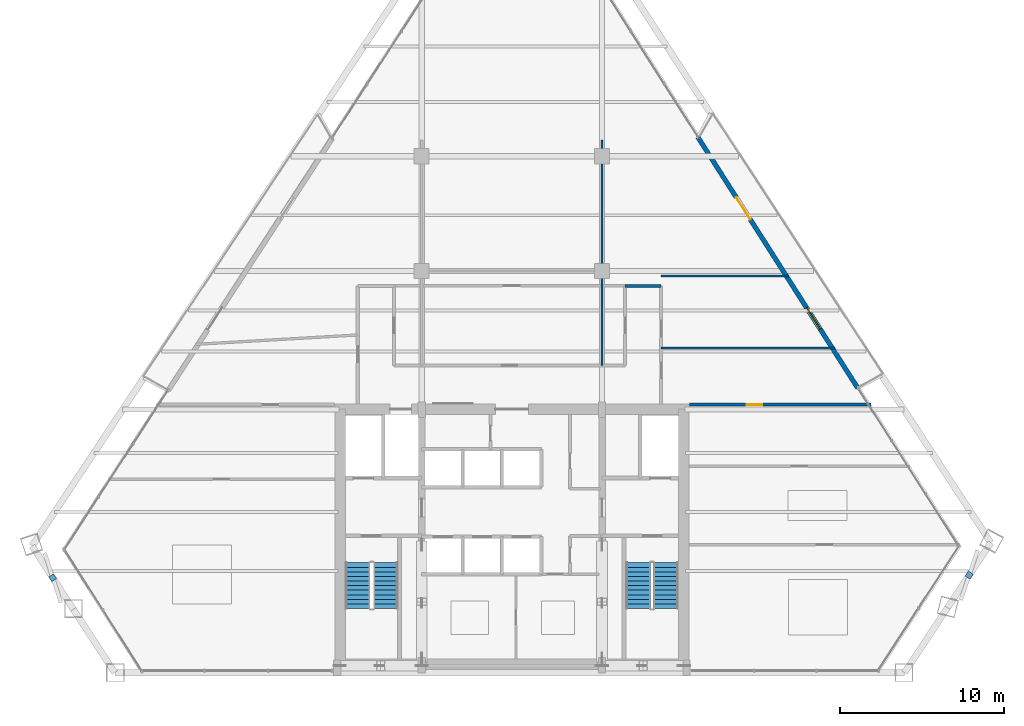
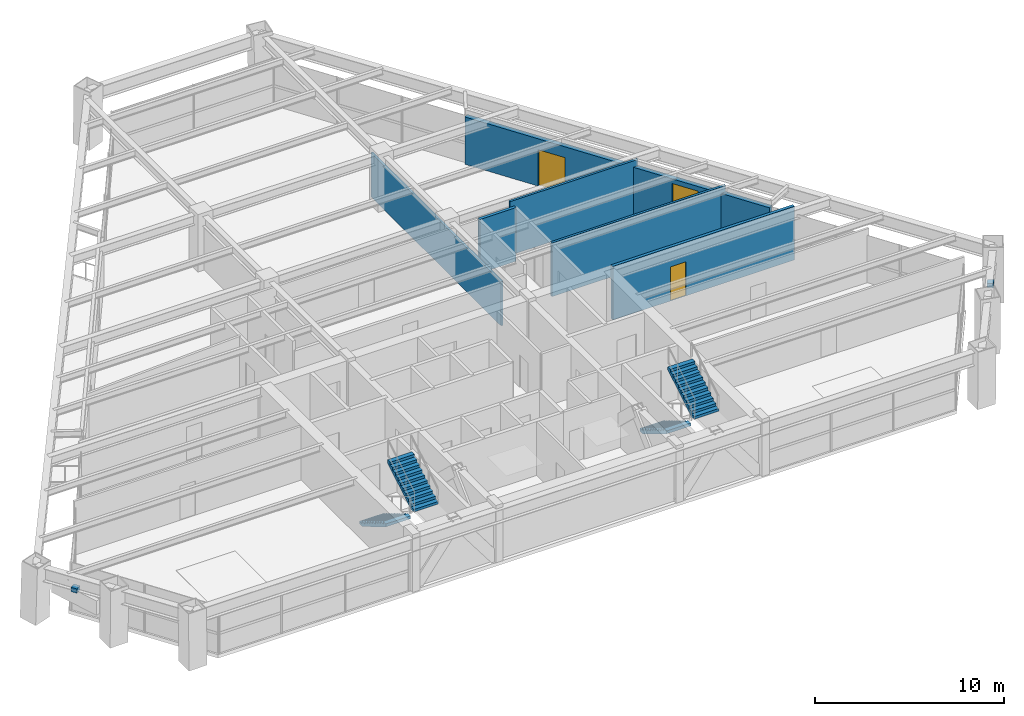
# One storey, part 13 of 15: 6 walls, 4 stair flights, 2 discrete accessories, 2 doors, 1 window, 3 openings, 2 elements without a shape of their own.
"""IFC4 building model written with IfcOpenShell, lengths in metres."""

import ifcopenshell
import ifcopenshell.guid

model = None  # the IFC model being written
_history = None  # IfcOwnerHistory: only IFC2X3 demands one
_inside = {}  # id of a spatial element -> (the spatial element, [elements in it])
_under = {}  # id of a project, library or spatial element -> (it, [spatial elements below it])
_declared = {}  # id of a project -> (the project, [libraries it declares])
_typed = {}  # id of a type object -> (the type object, [elements of that type])
_made_of = {}  # id of a material, layer set ... -> (it, [elements and type objects made of it])


def new_model(schema):
    """Start an empty IFC model of exactly this schema.

    Asked for "IFC4X3", IfcOpenShell would pick the latest addendum, in which some entities
    have other attributes; the version numbers below select the first issue.
    IFC2X3 requires an IfcOwnerHistory on every rooted entity: one is made here for all.
    """
    global model, _history
    if schema == "IFC4X3":
        model = ifcopenshell.file(schema_version=(4, 3, 0, 0))
    else:
        model = ifcopenshell.file(schema=schema)
    _inside.clear()
    _under.clear()
    _declared.clear()
    _typed.clear()
    _made_of.clear()
    _history = None
    if model.schema == "IFC2X3":
        org = make("IfcOrganization", Name="unknown")
        user = make(
            "IfcPersonAndOrganization",
            ThePerson=make("IfcPerson", FamilyName="unknown"),
            TheOrganization=org,
        )
        app = make(
            "IfcApplication",
            ApplicationDeveloper=org,
            Version="unknown",
            ApplicationFullName="unknown",
            ApplicationIdentifier="unknown",
        )
        _history = make(
            "IfcOwnerHistory",
            OwningUser=user,
            OwningApplication=app,
            ChangeAction="ADDED",
            CreationDate=0,
        )
    return model


def make(cls, **values):
    """One entity of the class cls with the attributes given. An attribute that is None is left unset."""
    return model.create_entity(
        cls, **{name: value for name, value in values.items() if value is not None}
    )


def rooted(cls, **values):
    """An entity with a GlobalId (a new one), such as an element, a storey or a relation."""
    return make(cls, GlobalId=ifcopenshell.guid.new(), OwnerHistory=_history, **values)


def si_unit(unit_type, name, prefix=None):
    """IfcSIUnit, for example si_unit("LENGTHUNIT", "METRE", prefix="MILLI")."""
    return make("IfcSIUnit", UnitType=unit_type, Prefix=prefix, Name=name)


def assignment(units):
    """IfcUnitAssignment: the units of a project."""
    return None if units is None else make("IfcUnitAssignment", Units=units)


def point(xyz):
    """IfcCartesianPoint."""
    return None if xyz is None else make("IfcCartesianPoint", Coordinates=xyz)


def direction(xyz):
    """IfcDirection."""
    return None if xyz is None else make("IfcDirection", DirectionRatios=xyz)


def frame(location, z_axis=None, x_axis=None):
    """IfcAxis2Placement3D, a coordinate frame: its origin and axes. An axis left out is left unset."""
    return make(
        "IfcAxis2Placement3D",
        Location=point(location),
        Axis=direction(z_axis),
        RefDirection=direction(x_axis),
    )


def frame_2d(location, x_axis=None):
    """IfcAxis2Placement2D, a coordinate frame in the plane: its origin and x axis."""
    return make(
        "IfcAxis2Placement2D", Location=point(location), RefDirection=direction(x_axis)
    )


def origin():
    """The frame at (0, 0, 0) with its axes left unset."""
    return frame((0.0, 0.0, 0.0))


def origin_2d():
    """The frame at (0, 0) in the plane with its x axis left unset."""
    return frame_2d((0.0, 0.0))


def place(relative_to, where):
    """IfcLocalPlacement: puts the frame where relative to a parent placement (None: the world)."""
    return make(
        "IfcLocalPlacement", PlacementRelTo=relative_to, RelativePlacement=where
    )


def context(
    kind, dimensions, precision=None, world=None, true_north=None, identifier=None
):
    """IfcGeometricRepresentationContext, for example the 3D "Model" context."""
    return make(
        "IfcGeometricRepresentationContext",
        ContextIdentifier=identifier,
        ContextType=kind,
        CoordinateSpaceDimension=dimensions,
        Precision=precision,
        WorldCoordinateSystem=world,
        TrueNorth=true_north,
    )


def subcontext(parent, identifier, kind, view, scale=None):
    """IfcGeometricRepresentationSubContext, for example "Body" below "Model"."""
    return make(
        "IfcGeometricRepresentationSubContext",
        ContextIdentifier=identifier,
        ContextType=kind,
        ParentContext=parent,
        TargetScale=scale,
        TargetView=view,
    )


def project(units=None, contexts=None):
    """IfcProject with its units and contexts."""
    return rooted(
        "IfcProject",
        Name="project",
        RepresentationContexts=contexts,
        UnitsInContext=assignment(units),
    )


def spatial(cls, under=None, at=None, **own):
    """A site, building, storey or space (cls), placed at a placement, below another one or the project."""
    s = rooted(cls, ObjectPlacement=at, **own)
    if under is not None:
        _under.setdefault(under.id(), (under, []))[1].append(s)
    return s


def polyline(points):
    """IfcPolyline through the points."""
    return make("IfcPolyline", Points=[point(p) for p in points])


def profile(cls, at=None, kind="AREA", **sizes):
    """A parametric profile (cls). Its sizes go by their IFC names, for example OverallWidth=200.0."""
    return make(cls, ProfileType=kind, Position=at, **sizes)


def rectangle(**sizes):
    """IfcRectangleProfileDef."""
    return profile("IfcRectangleProfileDef", **sizes)


def outline(outer, holes=None, kind="AREA"):
    """IfcArbitraryClosedProfileDef: a profile drawn as a closed curve; with holes, ...WithVoids."""
    if holes is None:
        return make("IfcArbitraryClosedProfileDef", ProfileType=kind, OuterCurve=outer)
    return make(
        "IfcArbitraryProfileDefWithVoids",
        ProfileType=kind,
        OuterCurve=outer,
        InnerCurves=holes,
    )


def extrude(swept, where, along, depth):
    """IfcExtrudedAreaSolid: the profile swept, set in the frame where, extruded along a direction by depth."""
    return make(
        "IfcExtrudedAreaSolid",
        SweptArea=swept,
        Position=where,
        ExtrudedDirection=direction(along),
        Depth=depth,
    )


def shape(context_of_items, identifier, shape_type, items):
    """IfcShapeRepresentation: the items that make up one representation, for example the "Body"."""
    return make(
        "IfcShapeRepresentation",
        ContextOfItems=context_of_items,
        RepresentationIdentifier=identifier,
        RepresentationType=shape_type,
        Items=items,
    )


def source(mapping_origin, context_of_items, identifier, shape_type, items):
    """IfcRepresentationMap: a shape defined once, which mapped items show again and again."""
    return make(
        "IfcRepresentationMap",
        MappingOrigin=mapping_origin,
        MappedRepresentation=shape(context_of_items, identifier, shape_type, items),
    )


def transform(
    local_origin,
    x_axis=None,
    y_axis=None,
    z_axis=None,
    scale=None,
    scale2=None,
    scale3=None,
    uniform=True,
):
    """IfcCartesianTransformationOperator3D, or its non-uniform kind. x_axis, y_axis, z_axis: its Axis1, 2, 3."""
    if uniform:
        return make(
            "IfcCartesianTransformationOperator3D",
            Axis1=direction(x_axis),
            Axis2=direction(y_axis),
            LocalOrigin=point(local_origin),
            Scale=scale,
            Axis3=direction(z_axis),
        )
    return make(
        "IfcCartesianTransformationOperator3DnonUniform",
        Axis1=direction(x_axis),
        Axis2=direction(y_axis),
        LocalOrigin=point(local_origin),
        Scale=scale,
        Axis3=direction(z_axis),
        Scale2=scale2,
        Scale3=scale3,
    )


def mapped(mapping_source, mapping_target):
    """IfcMappedItem: shows the shape of a source again, moved by a transform."""
    return make(
        "IfcMappedItem", MappingSource=mapping_source, MappingTarget=mapping_target
    )


def material(Name=None, Category=None):
    """IfcMaterial."""
    return make("IfcMaterial", Name=Name, Category=Category)


def layer(
    of_material, thickness, ventilated=None, Name=None, Category=None, Priority=None
):
    """IfcMaterialLayer: one layer of a wall or slab, of a material (None: an air gap)."""
    return make(
        "IfcMaterialLayer",
        Material=of_material,
        LayerThickness=thickness,
        IsVentilated=ventilated,
        Name=Name,
        Category=Category,
        Priority=Priority,
    )


def layer_set(layers, Name=None):
    """IfcMaterialLayerSet."""
    return make("IfcMaterialLayerSet", MaterialLayers=layers, LayerSetName=Name)


def made_of(thing, what):
    """Note that an element or type object is made of a material, layer set ...; save() writes the relation."""
    if what is not None:
        _made_of.setdefault(what.id(), (what, []))[1].append(thing)
    return thing


def type_object(cls, material=None, **own):
    """A type object (cls), such as IfcWallType, which elements share."""
    return made_of(rooted(cls, **own), material)


def type_shapes(of_type, sources):
    """Give a type object the sources (RepresentationMaps) that its elements show as mapped items."""
    of_type.RepresentationMaps = sources


def element(
    cls,
    number,
    at=None,
    inside=None,
    cuts=None,
    type_object=None,
    material=None,
    context=None,
    identifier="Body",
    shape_type=None,
    held_by="IfcProductDefinitionShape",
    body=None,
    shapes=None,
    **own,
):
    """One element of the class cls, such as IfcWall. Its Tag is "e" and its number.

    at: its placement. inside: the storey or other place that contains it. cuts: it is an
    opening in that element (IfcRelVoidsElement). A single representation is given by context,
    identifier, shape_type and body (its items); several are given by shapes. held_by: the class
    of the entity that holds the representations. save() writes the other relations.
    """
    e = rooted(cls, Tag="e%d" % number, ObjectPlacement=at, **own)
    if body is not None:
        shapes = [shape(context, identifier, shape_type, body)]
    if shapes is not None:
        e.Representation = make(held_by, Representations=shapes)
    if inside is not None:
        _inside.setdefault(inside.id(), (inside, []))[1].append(e)
    if cuts is not None:
        rooted(
            "IfcRelVoidsElement", RelatingBuildingElement=cuts, RelatedOpeningElement=e
        )
    if type_object is not None:
        _typed.setdefault(type_object.id(), (type_object, []))[1].append(e)
    return made_of(e, material)


def fill(opening, filler):
    """IfcRelFillsElement: the door or window that sits in an opening."""
    return rooted(
        "IfcRelFillsElement",
        RelatingOpeningElement=opening,
        RelatedBuildingElement=filler,
    )


def aggregate(whole, parts):
    """IfcRelAggregates: a whole, such as a stair, and the parts it consists of."""
    return rooted("IfcRelAggregates", RelatingObject=whole, RelatedObjects=parts)


def save(model, path):
    """Write the relations noted so far, then the file.

    IfcRelAggregates (storeys below a building ...), IfcRelContainedInSpatialStructure (elements
    in a storey), IfcRelDefinesByType, IfcRelAssociatesMaterial and IfcRelDeclares: one each for
    every whole, place, type object, material and project.
    """
    for whole, parts in _under.values():
        aggregate(whole, parts)
    for where, things in _inside.values():
        rooted(
            "IfcRelContainedInSpatialStructure",
            RelatedElements=things,
            RelatingStructure=where,
        )
    for kind, things in _typed.values():
        rooted("IfcRelDefinesByType", RelatedObjects=things, RelatingType=kind)
    for what, things in _made_of.values():
        rooted("IfcRelAssociatesMaterial", RelatedObjects=things, RelatingMaterial=what)
    for by, libraries in _declared.values():
        rooted("IfcRelDeclares", RelatingContext=by, RelatedDefinitions=libraries)
    model.write(path)


model = new_model("IFC4")

# Units and contexts
model_context = context("Model", 3, precision=1e-05, world=origin(), true_north=direction((0.0, 1.0)))
body_context = subcontext(model_context, "Body", "Model", "MODEL_VIEW")
ifc_project = project(units=[si_unit("LENGTHUNIT", "METRE"), si_unit("AREAUNIT", "SQUARE_METRE"), si_unit("VOLUMEUNIT", "CUBIC_METRE"), si_unit("PLANEANGLEUNIT", "RADIAN"), si_unit("MASSUNIT", "GRAM", prefix="KILO")], contexts=[model_context])

# Site, building, storey
site_placement = place(None, origin())
site = spatial("IfcSite", under=ifc_project, at=site_placement, CompositionType="ELEMENT")
building_placement = place(site_placement, origin())
building = spatial("IfcBuilding", under=site, at=building_placement, Name="Varnakhor Terracotta Tower", CompositionType="ELEMENT")
storey_placement = place(building_placement, frame((0.0, 0.0, 140.39990234375)))
storey = spatial("IfcBuildingStorey", under=building, at=storey_placement, Name="L35", CompositionType="ELEMENT", Elevation=140.39990234375)

# Wall
ifc_material_1 = material(Name="Fire-Rated Gypsum Stud Partition", Category="gypsum")
ifc_layer_1 = layer(ifc_material_1, 0.18505859375, Name="Fire-Rated Gypsum Stud Partition")
ifc_layer_set_1 = layer_set([ifc_layer_1], Name="Fire-Rated Gypsum Stud Partition")
wall_type_1 = type_object("IfcWallType", Name="WAL-CORR-185", PredefinedType="PARTITIONING", material=ifc_layer_set_1)
wall_1_placement = place(storey_placement, frame((6.89990234375, 23.60009765625, 0.0), z_axis=(0.0, 0.0, 1.0), x_axis=(1.0, 0.0, 0.0)))
element("IfcWall", 1, at=wall_1_placement, inside=storey, type_object=wall_type_1, Name="L35 East Gallery North End", PredefinedType="PARTITIONING", context=body_context, shape_type="SweptSolid", body=[
    extrude(rectangle(XDim=2.2001953125, YDim=0.18505859375, at=frame_2d((1.10009765625, 0.0))), origin(), (0.0, 0.0, 1.0), 3.462158203125),
])

# Wall, opening, door
wall_2_placement = place(storey_placement, frame((10.820068359375, 16.35009765625, 0.0), z_axis=(0.0, 0.0, 1.0), x_axis=(1.0, 0.0, 0.0)))
wall_2 = element("IfcWall", 2, at=wall_2_placement, inside=storey, type_object=wall_type_1, Name="L35 South East Entry Wall", PredefinedType="PARTITIONING", context=body_context, shape_type="SweptSolid", body=[
    extrude(rectangle(XDim=11.074462890625, YDim=0.18505859375, at=frame_2d((5.537109375, 0.0))), origin(), (0.0, 0.0, 1.0), 3.462158203125),
])
opening_1_placement = place(wall_2_placement, frame((3.503173828125, 0.0, 0.0)))
opening_1 = element("IfcOpeningElement", 3, at=opening_1_placement, cuts=wall_2, Name="Opening DR-94", PredefinedType="OPENING", context=body_context, shape_type="SweptSolid", body=[
    extrude(rectangle(XDim=0.949951171875, YDim=2.199951171875, at=frame_2d((0.47509765625, 1.10009765625))), frame((0.0, 0.1025390625, 0.0), z_axis=(0.0, -1.0, 0.0), x_axis=(1.0, 0.0, 0.0)), (0.0, 0.0, 1.0), 0.205078125),
])
ifc_material_2 = material(Name="Acoustic Glazed-Vision Timber Office Door", Category="wood")
door_type_1 = type_object("IfcDoorType", Name="DR-OFF-950X2200", OperationType="NOTDEFINED", PredefinedType="DOOR", material=ifc_material_2)
shared_shape_1 = source(origin(), body_context, "Body", "SweptSolid", [
    extrude(rectangle(XDim=0.949951171875, YDim=2.199951171875, at=frame_2d((0.47509765625, 1.10009765625))), frame((0.0, 0.02490234375, 0.0), z_axis=(0.0, -1.0, 0.0), x_axis=(1.0, 0.0, 0.0)), (0.0, 0.0, 1.0), 0.050048828125),
])
type_shapes(door_type_1, [shared_shape_1])
door_1_placement = place(opening_1_placement, origin())
door_1 = element("IfcDoor", 4, at=door_1_placement, inside=storey, type_object=door_type_1, Name="L35 SE Suite Door", OperationType="SINGLE_SWING_LEFT", OverallHeight=2.199951171875, OverallWidth=0.949951171875, PredefinedType="DOOR", context=body_context, shape_type="MappedRepresentation", body=[
    mapped(shared_shape_1, transform((0.0, 0.0, 0.0), scale=1.0)),
])
fill(opening_1, door_1)

# Wall, openings, door, window
ifc_material_3 = material(Name="Extruded Architectural Terracotta Assembly", Category="masonry")
ifc_layer_2 = layer(ifc_material_3, 0.280029296875, Name="Extruded Architectural Terracotta Assembly")
ifc_layer_set_2 = layer_set([ifc_layer_2], Name="Extruded Architectural Terracotta Assembly")
wall_type_2 = type_object("IfcWallType", Name="WAL-EXT-TERRACOTTA-280", PredefinedType="SOLIDWALL", material=ifc_layer_set_2)
wall_3_placement = place(storey_placement, frame((11.34521484375, 32.6630859375, 0.0), z_axis=(0.0, 0.0, 1.0), x_axis=(0.537390272984, -0.843333679217, 0.0)))
wall_3 = element("IfcWall", 5, at=wall_3_placement, inside=storey, type_object=wall_type_2, Name="L35 E Loggia Insulated Terracotta Wall", PredefinedType="SOLIDWALL", context=body_context, shape_type="SweptSolid", body=[
    extrude(rectangle(XDim=18.1328125, YDim=0.280029296875, at=frame_2d((9.06640625, 0.0))), origin(), (0.0, 0.0, 1.0), 3.050048828125),
])
opening_2_placement = place(wall_3_placement, frame((4.351806640625, 0.0, 0.0)))
opening_2 = element("IfcOpeningElement", 6, at=opening_2_placement, cuts=wall_3, Name="Opening DR-62", PredefinedType="OPENING", context=body_context, shape_type="SweptSolid", body=[
    extrude(rectangle(XDim=1.60009765625, YDim=2.35009765625, at=frame_2d((0.800048828125, 1.175048828125))), frame((0.0, 0.14990234375, 0.0), z_axis=(0.0, -1.0, 0.0), x_axis=(1.0, 0.0, 0.0)), (0.0, 0.0, 1.0), 0.300048828125),
])
opening_3_placement = place(wall_3_placement, frame((12.330322265625, 0.0, 0.89990234375)))
opening_3 = element("IfcOpeningElement", 7, at=opening_3_placement, cuts=wall_3, Name="Opening WN-57", PredefinedType="OPENING", context=body_context, shape_type="SweptSolid", body=[
    extrude(rectangle(XDim=1.550048828125, YDim=1.85009765625, at=frame_2d((0.77490234375, 0.925048828125))), frame((0.0, 0.14990234375, 0.0), z_axis=(0.0, -1.0, 0.0), x_axis=(1.0, 0.0, 0.0)), (0.0, 0.0, 1.0), 0.300048828125),
])
ifc_material_4 = material(Name="Thermally Broken Sliding Glass Loggia Door", Category="glass")
door_type_2 = type_object("IfcDoorType", Name="DR-EXT-LOGGIA-1600X2350", OperationType="NOTDEFINED", PredefinedType="DOOR", material=ifc_material_4)
shared_shape_2 = source(origin(), body_context, "Body", "SweptSolid", [
    extrude(rectangle(XDim=1.60009765625, YDim=2.35009765625, at=frame_2d((0.800048828125, 1.175048828125))), frame((0.0, 0.02490234375, 0.0), z_axis=(0.0, -1.0, 0.0), x_axis=(1.0, 0.0, 0.0)), (0.0, 0.0, 1.0), 0.050048828125),
])
type_shapes(door_type_2, [shared_shape_2])
door_2_placement = place(opening_2_placement, origin())
door_2 = element("IfcDoor", 8, at=door_2_placement, inside=storey, type_object=door_type_2, Name="L35 E Recessed Loggia Sliding Door", OperationType="SLIDING_TO_RIGHT", OverallHeight=2.35009765625, OverallWidth=1.60009765625, PredefinedType="DOOR", context=body_context, shape_type="MappedRepresentation", body=[
    mapped(shared_shape_2, transform((0.0, 0.0, 0.0), scale=1.0)),
])
fill(opening_2, door_2)
ifc_material_5 = material(Name="Solar-Control Low-E Insulated Glass Unit", Category="glass")
window_type = type_object("IfcWindowType", Name="WIN-OFF-1650X2100", PartitioningType="SINGLE_PANEL", PredefinedType="WINDOW", material=ifc_material_5)
shared_shape_3 = source(origin(), body_context, "Body", "SweptSolid", [
    extrude(rectangle(XDim=1.550048828125, YDim=1.85009765625, at=frame_2d((0.77490234375, 0.925048828125))), frame((0.0, 0.030029296875, 0.0), z_axis=(0.0, -1.0, 0.0), x_axis=(1.0, 0.0, 0.0)), (0.0, 0.0, 1.0), 0.06005859375),
])
type_shapes(window_type, [shared_shape_3])
window_placement = place(opening_3_placement, origin())
window = element("IfcWindow", 9, at=window_placement, inside=storey, type_object=window_type, Name="L35 E Facet Punched Window", OverallHeight=1.85009765625, OverallWidth=1.550048828125, PartitioningType="SINGLE_PANEL", PredefinedType="WINDOW", context=body_context, shape_type="MappedRepresentation", body=[
    mapped(shared_shape_3, transform((0.0, 0.0, 0.0), scale=1.0)),
])
fill(opening_3, window)

# Walls
ifc_material_6 = material(Name="Acoustic Metal-Stud Partition", Category="gypsum")
ifc_layer_3 = layer(ifc_material_6, 0.139892578125, Name="Acoustic Metal-Stud Partition")
ifc_layer_set_3 = layer_set([ifc_layer_3], Name="Acoustic Metal-Stud Partition")
wall_type_3 = type_object("IfcWallType", Name="WAL-PART-140", PredefinedType="PARTITIONING", material=ifc_layer_set_3)
wall_4_placement = place(storey_placement, frame((5.5, 18.75, 0.0), z_axis=(0.0, 0.0, 1.0), x_axis=(0.0, 1.0, 0.0)))
element("IfcWall", 10, at=wall_4_placement, inside=storey, type_object=wall_type_3, Name="L35 Center East Column Wall", PredefinedType="PARTITIONING", context=body_context, shape_type="SweptSolid", body=[
    extrude(rectangle(XDim=13.75, YDim=0.139892578125, at=frame_2d((6.875, 0.0))), origin(), (0.0, 0.0, 1.0), 2.84619140625),
])
wall_5_placement = place(storey_placement, frame((9.10009765625, 19.800048828125, 0.0), z_axis=(0.0, 0.0, 1.0), x_axis=(1.0, 0.0, 0.0)))
element("IfcWall", 11, at=wall_5_placement, inside=storey, type_object=wall_type_3, Name="L35 East Wing Cut 3", PredefinedType="PARTITIONING", context=body_context, shape_type="SweptSolid", body=[
    extrude(rectangle(XDim=10.595947265625, YDim=0.139892578125, at=frame_2d((5.2978515625, 0.0))), origin(), (0.0, 0.0, 1.0), 3.462158203125),
])
wall_6_placement = place(storey_placement, frame((9.10009765625, 24.199951171875, 0.0), z_axis=(0.0, 0.0, 1.0), x_axis=(1.0, 0.0, 0.0)))
element("IfcWall", 12, at=wall_6_placement, inside=storey, type_object=wall_type_3, Name="L35 East Wing Cut 4", PredefinedType="PARTITIONING", context=body_context, shape_type="SweptSolid", body=[
    extrude(rectangle(XDim=7.7919921875, YDim=0.139892578125, at=frame_2d((3.89599609375, 0.0))), origin(), (0.0, 0.0, 1.0), 3.462158203125),
])

# Stair, stair flights
ifc_material_7 = material(Name="Concrete C40/50", Category="concrete")
stair_type = type_object("IfcStairType", Name="STR-CORE-OFFICE-1500", PredefinedType="HALF_TURN_STAIR", material=ifc_material_7)
stair_1_placement = place(storey_placement, origin())
stair_1 = element("IfcStair", 13, at=stair_1_placement, inside=storey, type_object=stair_type, Name="L35 Core Exit Stair ST-1", PredefinedType="HALF_TURN_STAIR")
stair_flight_type = type_object("IfcStairFlightType", Name="FLT-CORE-1500", PredefinedType="STRAIGHT", material=ifc_material_7)
stair_flight_1_placement = place(storey_placement, frame((-9.39990234375, 6.7099609375, 0.0), z_axis=(0.0, 0.0, 1.0), x_axis=(0.0, -1.0, 0.0)))
stair_flight_1 = element("IfcStairFlight", 14, at=stair_flight_1_placement, type_object=stair_flight_type, Name="ST-1 flight 1", NumberOfRisers=11, NumberOfTreads=10, PredefinedType="STRAIGHT", RiserHeight=0.168181818, TreadLength=0.28, context=body_context, shape_type="SweptSolid", body=[
    extrude(outline(polyline([(0.0, 0.0), (0.0, 0.168212890625), (0.280029296875, 0.168212890625), (0.280029296875, 0.33642578125), (0.56005859375, 0.33642578125), (0.56005859375, 0.504638671875), (0.840087890625, 0.504638671875), (0.840087890625, 0.672607421875), (1.1201171875, 0.672607421875), (1.1201171875, 0.8408203125), (1.39990234375, 0.8408203125), (1.39990234375, 1.009033203125), (1.679931640625, 1.009033203125), (1.679931640625, 1.17724609375), (1.9599609375, 1.17724609375), (1.9599609375, 1.345458984375), (2.239990234375, 1.345458984375), (2.239990234375, 1.513671875), (2.52001953125, 1.513671875), (2.52001953125, 1.681884765625), (2.800048828125, 1.681884765625), (2.800048828125, 1.85009765625), (2.800048828125, 1.495361328125), (0.310546875, 0.0), (0.0, 0.0)])), frame((0.0, 0.75, 0.0), z_axis=(0.0, -1.0, 0.0), x_axis=(1.0, 0.0, 0.0)), (0.0, 0.0, 1.0), 1.5),
])
stair_flight_2_placement = place(storey_placement, frame((-7.699951171875, 3.909912109375, 1.85009765625), z_axis=(0.0, 0.0, 1.0), x_axis=(0.0, 1.0, 0.0)))
stair_flight_2 = element("IfcStairFlight", 15, at=stair_flight_2_placement, type_object=stair_flight_type, Name="ST-1 flight 2", NumberOfRisers=11, NumberOfTreads=10, PredefinedType="STRAIGHT", RiserHeight=0.168181818, TreadLength=0.28, context=body_context, shape_type="SweptSolid", body=[
    extrude(outline(polyline([(0.0, 0.0), (0.0, 0.168212890625), (0.280029296875, 0.168212890625), (0.280029296875, 0.33642578125), (0.56005859375, 0.33642578125), (0.56005859375, 0.504638671875), (0.840087890625, 0.504638671875), (0.840087890625, 0.672607421875), (1.1201171875, 0.672607421875), (1.1201171875, 0.8408203125), (1.39990234375, 0.8408203125), (1.39990234375, 1.009033203125), (1.679931640625, 1.009033203125), (1.679931640625, 1.17724609375), (1.9599609375, 1.17724609375), (1.9599609375, 1.345458984375), (2.239990234375, 1.345458984375), (2.239990234375, 1.513671875), (2.52001953125, 1.513671875), (2.52001953125, 1.681884765625), (2.800048828125, 1.681884765625), (2.800048828125, 1.85009765625), (2.800048828125, 1.495361328125), (0.310546875, 0.0), (0.0, 0.0)])), frame((0.0, 0.75, 0.0), z_axis=(0.0, -1.0, 0.0), x_axis=(1.0, 0.0, 0.0)), (0.0, 0.0, 1.0), 1.5),
])
aggregate(stair_1, [stair_flight_1, stair_flight_2])

stair_2_placement = place(storey_placement, origin())
stair_2 = element("IfcStair", 16, at=stair_2_placement, inside=storey, type_object=stair_type, Name="L35 Core Exit Stair ST-2", PredefinedType="HALF_TURN_STAIR")
stair_flight_3_placement = place(storey_placement, frame((7.699951171875, 6.7099609375, 0.0), z_axis=(0.0, 0.0, 1.0), x_axis=(0.0, -1.0, 0.0)))
stair_flight_3 = element("IfcStairFlight", 17, at=stair_flight_3_placement, type_object=stair_flight_type, Name="ST-2 flight 1", NumberOfRisers=11, NumberOfTreads=10, PredefinedType="STRAIGHT", RiserHeight=0.168181818, TreadLength=0.28, context=body_context, shape_type="SweptSolid", body=[
    extrude(outline(polyline([(0.0, 0.0), (0.0, 0.168212890625), (0.280029296875, 0.168212890625), (0.280029296875, 0.33642578125), (0.56005859375, 0.33642578125), (0.56005859375, 0.504638671875), (0.840087890625, 0.504638671875), (0.840087890625, 0.672607421875), (1.1201171875, 0.672607421875), (1.1201171875, 0.8408203125), (1.39990234375, 0.8408203125), (1.39990234375, 1.009033203125), (1.679931640625, 1.009033203125), (1.679931640625, 1.17724609375), (1.9599609375, 1.17724609375), (1.9599609375, 1.345458984375), (2.239990234375, 1.345458984375), (2.239990234375, 1.513671875), (2.52001953125, 1.513671875), (2.52001953125, 1.681884765625), (2.800048828125, 1.681884765625), (2.800048828125, 1.85009765625), (2.800048828125, 1.495361328125), (0.310546875, 0.0), (0.0, 0.0)])), frame((0.0, 0.75, 0.0), z_axis=(0.0, -1.0, 0.0), x_axis=(1.0, 0.0, 0.0)), (0.0, 0.0, 1.0), 1.5),
])
stair_flight_4_placement = place(storey_placement, frame((9.39990234375, 3.909912109375, 1.85009765625), z_axis=(0.0, 0.0, 1.0), x_axis=(0.0, 1.0, 0.0)))
stair_flight_4 = element("IfcStairFlight", 18, at=stair_flight_4_placement, type_object=stair_flight_type, Name="ST-2 flight 2", NumberOfRisers=11, NumberOfTreads=10, PredefinedType="STRAIGHT", RiserHeight=0.168181818, TreadLength=0.28, context=body_context, shape_type="SweptSolid", body=[
    extrude(outline(polyline([(0.0, 0.0), (0.0, 0.168212890625), (0.280029296875, 0.168212890625), (0.280029296875, 0.33642578125), (0.56005859375, 0.33642578125), (0.56005859375, 0.504638671875), (0.840087890625, 0.504638671875), (0.840087890625, 0.672607421875), (1.1201171875, 0.672607421875), (1.1201171875, 0.8408203125), (1.39990234375, 0.8408203125), (1.39990234375, 1.009033203125), (1.679931640625, 1.009033203125), (1.679931640625, 1.17724609375), (1.9599609375, 1.17724609375), (1.9599609375, 1.345458984375), (2.239990234375, 1.345458984375), (2.239990234375, 1.513671875), (2.52001953125, 1.513671875), (2.52001953125, 1.681884765625), (2.800048828125, 1.681884765625), (2.800048828125, 1.85009765625), (2.800048828125, 1.495361328125), (0.310546875, 0.0), (0.0, 0.0)])), frame((0.0, 0.75, 0.0), z_axis=(0.0, -1.0, 0.0), x_axis=(1.0, 0.0, 0.0)), (0.0, 0.0, 1.0), 1.5),
])
aggregate(stair_2, [stair_flight_3, stair_flight_4])

# Discrete accessories
ifc_material_8 = material(Name="Stainless Steel Fixing Bracket", Category="steel")
discrete_accessory_type = type_object("IfcDiscreteAccessoryType", Name="BRACKET-TERRACOTTA-SCREEN", PredefinedType="BRACKET", material=ifc_material_8)
shared_shape_4 = source(origin(), body_context, "Body", "SweptSolid", [
    extrude(rectangle(XDim=0.35009765625, YDim=0.35009765625, at=origin_2d()), origin(), (0.0, 0.0, 1.0), 0.280029296875),
])
type_shapes(discrete_accessory_type, [shared_shape_4])
for number, where, z_axis, x_axis, name in (
    (19, (27.89404296875, 5.949462890625, 2.48486328125), (0.0, 0.0, 1.0), (0.553042607471, 0.833152971741, 0.0), "L35 E Screen Fixing Bracket"),
    (20, (-28.001708984375, 5.792236328125, 2.48486328125), (0.0, 0.0, 1.0), (0.546613592335, -0.837384965637, 0.0), "L35 W Screen Fixing Bracket"),
):
    element("IfcDiscreteAccessory", number, at=place(storey_placement, frame(where, z_axis=z_axis, x_axis=x_axis)), inside=storey, type_object=discrete_accessory_type, Name=name, PredefinedType="BRACKET", context=body_context, shape_type="MappedRepresentation", body=[
        mapped(shared_shape_4, transform((0.0, 0.0, 0.0), scale=1.0)),
    ])

save(model, "model.ifc")
